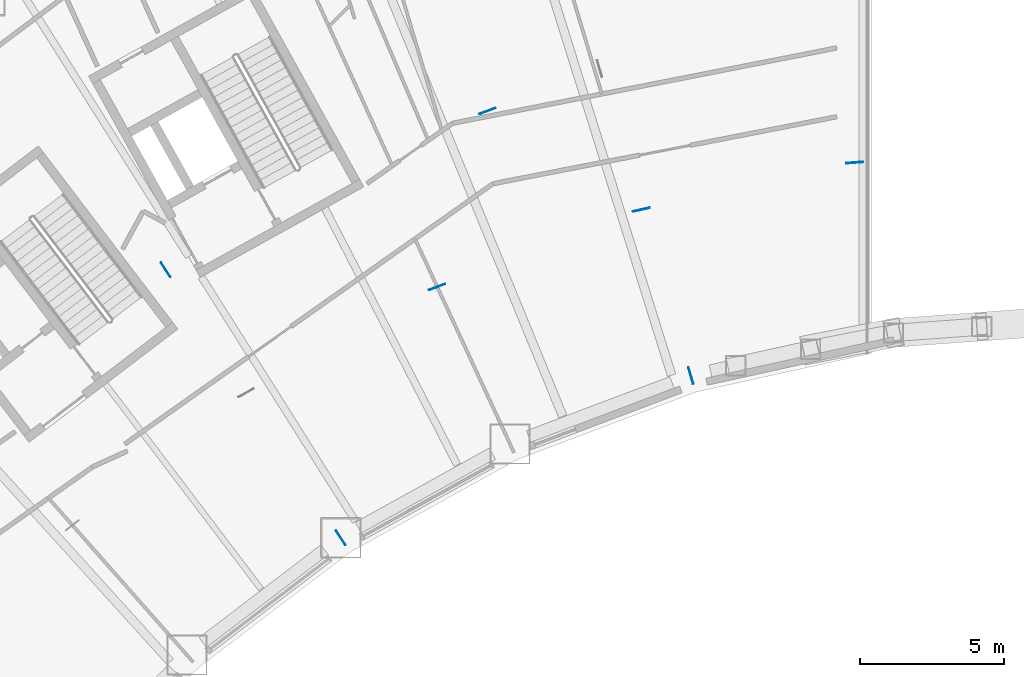
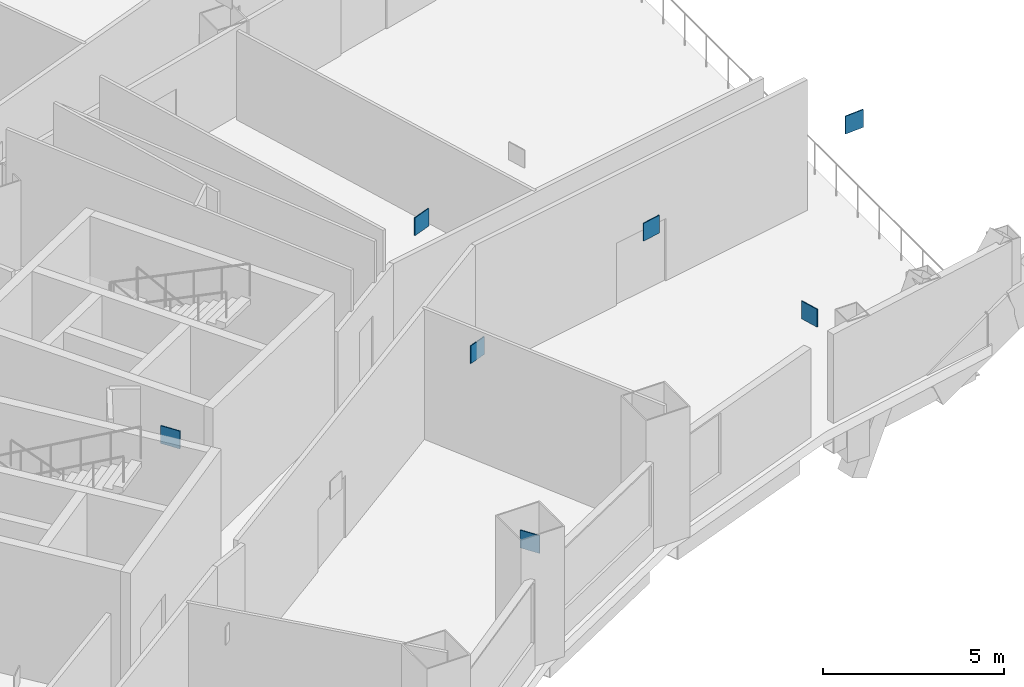
# One storey, part 16 of 24: 7 discrete accessories.
"""IFC4 building model written with IfcOpenShell, lengths in metres."""

from ifc_helpers import new_model, si_unit, direction, frame, origin, origin_2d, place, context, subcontext, project, spatial, rectangle, extrude, material, type_object, element, save


model = new_model("IFC4")

# Units and contexts
model_context = context("Model", 3, precision=1e-05, world=origin(), true_north=direction((0.0, 1.0)))
body_context = subcontext(model_context, "Body", "Model", "MODEL_VIEW")
ifc_project = project(units=[si_unit("LENGTHUNIT", "METRE"), si_unit("AREAUNIT", "SQUARE_METRE"), si_unit("VOLUMEUNIT", "CUBIC_METRE"), si_unit("PLANEANGLEUNIT", "RADIAN"), si_unit("MASSUNIT", "GRAM", prefix="KILO")], contexts=[model_context])

# Site, building, storey
site_placement = place(None, origin())
site = spatial("IfcSite", under=ifc_project, at=site_placement, CompositionType="ELEMENT")
building_placement = place(site_placement, origin())
building = spatial("IfcBuilding", under=site, at=building_placement, Name="Tuul Gate Civic Tower", CompositionType="ELEMENT")
storey_placement = place(building_placement, frame((0.0, 0.0, 21.89990234375)))
storey = spatial("IfcBuildingStorey", under=building, at=storey_placement, Name="Level 04", CompositionType="ELEMENT", Elevation=21.89990234375)

# Discrete accessories
ifc_material = material(Name="Steel S355", Category="steel")
discrete_accessory_type = type_object("IfcDiscreteAccessoryType", Name="Gusset plate", PredefinedType="BRACKET", material=ifc_material)
for number, where, z_axis, x_axis, name in (
    (1, (-13.271484375, -15.408203125, 3.39697265625), (0.0, 0.0, 1.0), (-0.28519561857, 0.958469331355, 0.0), "Gusset plate"),
    (2, (-25.438720703125, -21.045654296875, 3.39697265625), (0.0, 0.0, 1.0), (-0.546705342807, 0.837325067191, 0.0), "Gusset plate"),
    (3, (-20.340087890625, -6.2119140625, 3.396240234375), (0.0, 0.0, 1.0), (-0.935378577037, -0.353648013737, 0.0), "Gusset plate"),
    (4, (-31.5244140625, -11.72119140625, 3.396484375), (0.0, 0.0, 1.0), (0.546705342807, -0.837325067191, 0.0), "Gusset plate"),
    (5, (-14.989990234375, -9.640869140625, 3.397216796875), (0.0, 0.0, 1.0), (0.97656368755, 0.215228632292, 0.0), "Gusset plate"),
    (6, (-7.576171875, -8.00634765625, 3.397216796875), (0.0, 0.0, 1.0), (0.997381904937, 0.07231414595, 0.0), "Gusset plate"),
    (7, (-22.0908203125, -12.326416015625, 3.397216796875), (0.0, 0.0, 1.0), (0.935367540469, 0.353677203444, 0.0), "Gusset plate"),
):
    element("IfcDiscreteAccessory", number, at=place(storey_placement, frame(where, z_axis=z_axis, x_axis=x_axis)), inside=storey, type_object=discrete_accessory_type, Name=name, PredefinedType="BRACKET", context=body_context, shape_type="SweptSolid", body=[
        extrude(rectangle(XDim=0.60009765625, YDim=0.030029296875, at=origin_2d()), origin(), (0.0, 0.0, 1.0), 0.60009765625),
    ])

save(model, "model.ifc")
